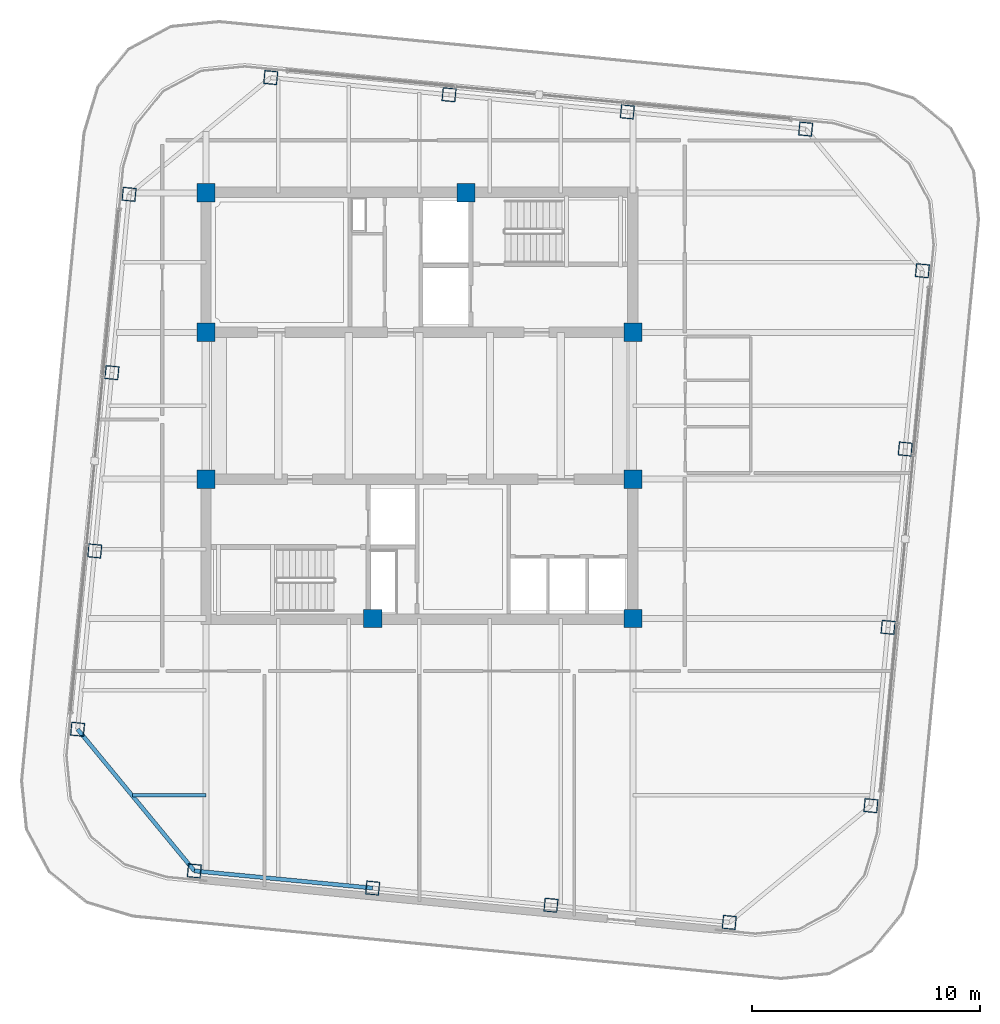
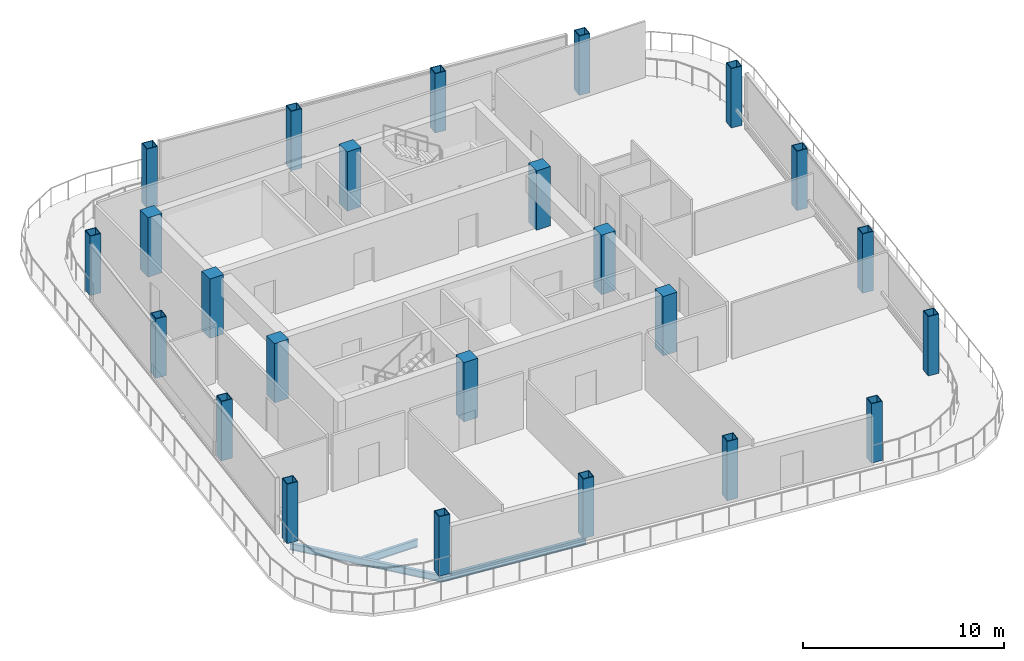
# One storey, part 1 of 23: 24 columns, 3 beams.
"""IFC4 building model written with IfcOpenShell, lengths in metres."""

from ifc_helpers import new_model, si_unit, direction, frame, origin, origin_2d, place, context, subcontext, project, spatial, rectangle, hollow_rectangle, i_section, extrude, material, material_profile, profile_set, type_object, element, save


model = new_model("IFC4")

# Units and contexts
model_context = context("Model", 3, precision=1e-05, world=origin(), true_north=direction((0.0, 1.0)))
body_context = subcontext(model_context, "Body", "Model", "MODEL_VIEW")
ifc_project = project(units=[si_unit("LENGTHUNIT", "METRE"), si_unit("AREAUNIT", "SQUARE_METRE"), si_unit("VOLUMEUNIT", "CUBIC_METRE"), si_unit("PLANEANGLEUNIT", "RADIAN"), si_unit("MASSUNIT", "GRAM", prefix="KILO")], contexts=[model_context])

# Site, building, storey
site_placement = place(None, origin())
site = spatial("IfcSite", under=ifc_project, at=site_placement, CompositionType="ELEMENT")
building_placement = place(site_placement, origin())
building = spatial("IfcBuilding", under=site, at=building_placement, Name="Qhalaya Broadcast Tower", CompositionType="ELEMENT")
storey_placement = place(building_placement, frame((0.0, 0.0, 276.949951171875)))
storey = spatial("IfcBuildingStorey", under=building, at=storey_placement, Name="L82", CompositionType="ELEMENT", Elevation=276.949951171875)

# Columns
ifc_material_1 = material(Name="Concrete C50/60", Category="concrete")
ifc_material_profile_1 = material_profile(ifc_material_1, rectangle(XDim=0.800048828125, YDim=0.800048828125, at=origin_2d()), Name="RC-COL 800x800")
ifc_profile_set_1 = profile_set([ifc_material_profile_1], Name="Concrete C50/60")
column_type_1 = type_object("IfcColumnType", Name="RC Upper Column C10", PredefinedType="COLUMN", material=ifc_profile_set_1)
for number, where, z_axis, x_axis, name in (
    (1, (-9.375, 9.949951171875, 0.0), (0.0, 0.0, 1.0), (1.0, 0.0, 0.0), "L82 Column COL-CC1"),
    (2, (2.050048828125, 9.949951171875, 0.0), (0.0, 0.0, 1.0), (1.0, 0.0, 0.0), "L82 Column COL-CC2"),
    (3, (-9.375, 3.824951171875, 0.0), (0.0, 0.0, 1.0), (1.0, 0.0, 0.0), "L82 Column COL-CC3"),
    (4, (9.375, 3.824951171875, 0.0), (0.0, 0.0, 1.0), (1.0, 0.0, 0.0), "L82 Column COL-CC4"),
    (5, (-9.375, -2.625, 0.0), (0.0, 0.0, 1.0), (1.0, 0.0, 0.0), "L82 Column COL-CC5"),
    (6, (9.375, -2.625, 0.0), (0.0, 0.0, 1.0), (1.0, 0.0, 0.0), "L82 Column COL-CC6"),
    (7, (-2.050048828125, -8.75, 0.0), (0.0, 0.0, 1.0), (1.0, 0.0, 0.0), "L82 Column COL-CC7"),
    (8, (9.375, -8.75, 0.0), (0.0, 0.0, 1.0), (1.0, 0.0, 0.0), "L82 Column COL-CC8"),
):
    element("IfcColumn", number, at=place(storey_placement, frame(where, z_axis=z_axis, x_axis=x_axis)), inside=storey, type_object=column_type_1, Name=name, PredefinedType="COLUMN", context=body_context, shape_type="SweptSolid", body=[
        extrude(rectangle(XDim=0.800048828125, YDim=0.800048828125, at=origin_2d()), origin(), (0.0, 0.0, 1.0), 3.60009765625),
    ])
ifc_material_2 = material(Name="Structural Steel ASTM A572 Grade 50", Category="steel")
ifc_material_profile_2 = material_profile(ifc_material_2, hollow_rectangle(XDim=0.60009765625, YDim=0.60009765625, WallThickness=0.0400390625, at=origin_2d()), Name="BOX 600x600x40")
ifc_profile_set_2 = profile_set([ifc_material_profile_2], Name="Structural Steel ASTM A572 Grade 50")
column_type_2 = type_object("IfcColumnType", Name="Steel Box Column C05", PredefinedType="COLUMN", material=ifc_profile_set_2)
for number, where, z_axis, x_axis, name in (
    (9, (-9.883056640625, -19.82861328125, 0.0), (0.0, 0.0, 1.0), (0.995396198367, -0.09584575252, 0.0), "L82 Column COL-CR01"),
    (10, (-2.052490234375, -20.58251953125, 0.0), (0.0, 0.0, 1.0), (0.995396198367, -0.09584575252, 0.0), "L82 Column COL-CR02"),
    (11, (5.77783203125, -21.33642578125, 0.0), (0.0, 0.0, 1.0), (0.995396198367, -0.09584575252, 0.0), "L82 Column COL-CR03"),
    (12, (13.6083984375, -22.09033203125, 0.0), (0.0, 0.0, 1.0), (0.995396198367, -0.09584575252, 0.0), "L82 Column COL-CR04"),
    (13, (19.82861328125, -16.962890625, 0.0), (0.0, 0.0, 1.0), (0.09584575252, 0.995396198367, 0.0), "L82 Column COL-CR05"),
    (14, (20.58251953125, -9.132568359375, 0.0), (0.0, 0.0, 1.0), (0.09584575252, 0.995396198367, 0.0), "L82 Column COL-CR06"),
    (15, (21.33642578125, -1.302001953125, 0.0), (0.0, 0.0, 1.0), (0.09584575252, 0.995396198367, 0.0), "L82 Column COL-CR07"),
    (16, (22.09033203125, 6.5283203125, 0.0), (0.0, 0.0, 1.0), (0.09584575252, 0.995396198367, 0.0), "L82 Column COL-CR08"),
    (17, (16.962890625, 12.74853515625, 0.0), (0.0, 0.0, 1.0), (0.995396198367, -0.09584575252, 0.0), "L82 Column COL-CR09"),
    (18, (9.132568359375, 13.50244140625, 0.0), (0.0, 0.0, 1.0), (0.995396198367, -0.09584575252, 0.0), "L82 Column COL-CR10"),
    (19, (1.302001953125, 14.25634765625, 0.0), (0.0, 0.0, 1.0), (0.995396198367, -0.09584575252, 0.0), "L82 Column COL-CR11"),
    (20, (-6.5283203125, 15.010498046875, 0.0), (0.0, 0.0, 1.0), (0.995396198367, -0.09584575252, 0.0), "L82 Column COL-CR12"),
    (21, (-12.74853515625, 9.883056640625, 0.0), (0.0, 0.0, 1.0), (0.09584575252, 0.995396198367, 0.0), "L82 Column COL-CR13"),
    (22, (-13.50244140625, 2.052490234375, 0.0), (0.0, 0.0, 1.0), (0.09584575252, 0.995396198367, 0.0), "L82 Column COL-CR14"),
    (23, (-14.25634765625, -5.77783203125, 0.0), (0.0, 0.0, 1.0), (0.09584575252, 0.995396198367, 0.0), "L82 Column COL-CR15"),
    (24, (-15.010498046875, -13.6083984375, 0.0), (0.0, 0.0, 1.0), (0.09584575252, 0.995396198367, 0.0), "L82 Column COL-CR16"),
):
    element("IfcColumn", number, at=place(storey_placement, frame(where, z_axis=z_axis, x_axis=x_axis)), inside=storey, type_object=column_type_2, Name=name, PredefinedType="COLUMN", context=body_context, shape_type="SweptSolid", body=[
        extrude(hollow_rectangle(XDim=0.60009765625, YDim=0.60009765625, WallThickness=0.0400390625, at=origin_2d()), origin(), (0.0, 0.0, 1.0), 3.60009765625),
    ])

# Beams
ifc_material_3 = material(Name="Structural Steel ASTM A992 Grade 50", Category="steel")
ifc_material_profile_3 = material_profile(ifc_material_3, i_section(OverallWidth=0.154052734375, OverallDepth=0.458984375, WebThickness=0.009033203125, FlangeThickness=0.015380859375, at=origin_2d()), Name="W18X46")
ifc_profile_set_3 = profile_set([ifc_material_profile_3], Name="Structural Steel ASTM A992 Grade 50")
beam_type_1 = type_object("IfcBeamType", Name="Composite Floor Joist J04", PredefinedType="JOIST", material=ifc_profile_set_3)
beam_1_placement = place(storey_placement, frame((-12.600830078125, -16.5, -0.41943359375), z_axis=(1.0, 0.0, 0.0), x_axis=(0.0, 1.0, 0.0)))
element("IfcBeam", 25, at=beam_1_placement, inside=storey, type_object=beam_type_1, Name="L82 J04 L82-JWE1W-1", PredefinedType="JOIST", context=body_context, shape_type="SweptSolid", body=[
    extrude(i_section(OverallWidth=0.154052734375, OverallDepth=0.458984375, WebThickness=0.009033203125, FlangeThickness=0.015380859375, at=origin_2d()), origin(), (0.0, 0.0, 1.0), 3.225830078125),
])
ifc_material_profile_4 = material_profile(ifc_material_3, i_section(OverallWidth=0.177978515625, OverallDepth=0.406005859375, WebThickness=0.0078125, FlangeThickness=0.0126953125, at=origin_2d()), Name="W16X40")
ifc_profile_set_4 = profile_set([ifc_material_profile_4], Name="Structural Steel ASTM A992 Grade 50")
beam_type_2 = type_object("IfcBeamType", Name="Upper Perimeter Spandrel Beam SP2", PredefinedType="SPANDREL", material=ifc_profile_set_4)
beam_2_placement = place(storey_placement, frame((-9.883056640625, -19.82861328125, -0.39306640625), z_axis=(0.995397308407, -0.095834223619, 0.0), x_axis=(0.095834223619, 0.995397308407, 0.0)))
element("IfcBeam", 26, at=beam_2_placement, inside=storey, type_object=beam_type_2, Name="L82 SP2 L82-SPR-01", PredefinedType="SPANDREL", context=body_context, shape_type="SweptSolid", body=[
    extrude(i_section(OverallWidth=0.177978515625, OverallDepth=0.406005859375, WebThickness=0.0078125, FlangeThickness=0.0126953125, at=origin_2d()), origin(), (0.0, 0.0, 1.0), 7.86669921875),
])
beam_3_placement = place(storey_placement, frame((-15.010498046875, -13.6083984375, -0.39306640625), z_axis=(0.636070241972, -0.771631160126, 0.0), x_axis=(0.771631160126, 0.636070241972, 0.0)))
element("IfcBeam", 27, at=beam_3_placement, inside=storey, type_object=beam_type_2, Name="L82 SP2 L82-SPR-16", PredefinedType="SPANDREL", context=body_context, shape_type="SweptSolid", body=[
    extrude(i_section(OverallWidth=0.177978515625, OverallDepth=0.406005859375, WebThickness=0.0078125, FlangeThickness=0.0126953125, at=origin_2d()), origin(), (0.0, 0.0, 1.0), 8.06103515625),
])

save(model, "model.ifc")
